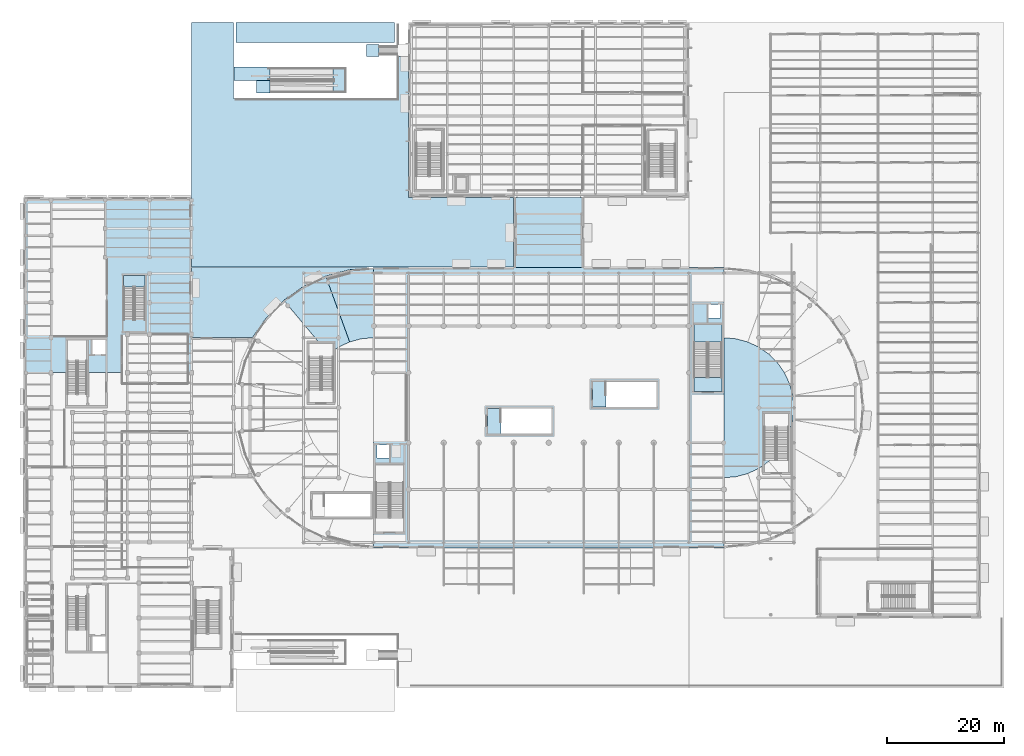
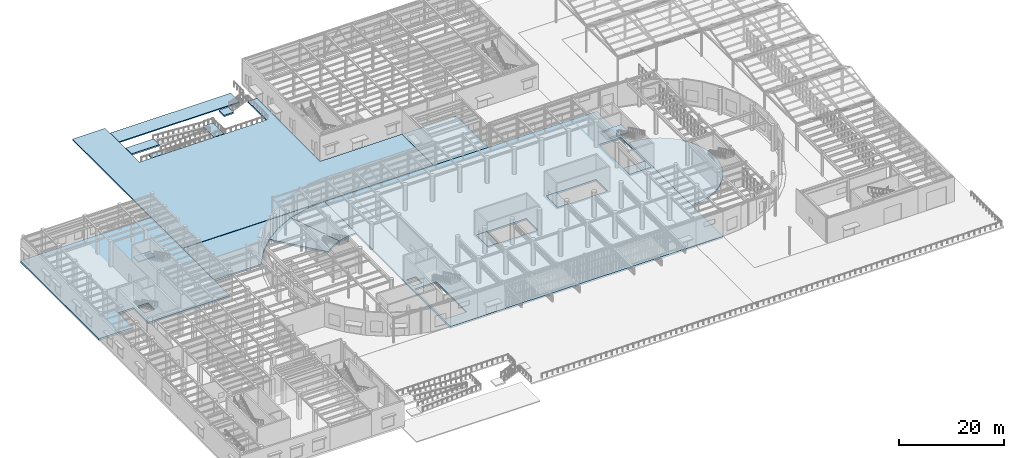
# One storey, part 74 of 118: 18 slabs, 3 elements without a shape of their own.
"""IFC4 building model written with IfcOpenShell, lengths in metres."""

from ifc_helpers import new_model, si_unit, direction, frame, origin, place, context, subcontext, project, spatial, polyline, outline, extrude, material, layer, layer_set, type_object, element, aggregate, save


model = new_model("IFC4")

# Units and contexts
model_context = context("Model", 3, precision=1e-05, world=origin(), true_north=direction((0.0, 1.0)))
body_context = subcontext(model_context, "Body", "Model", "MODEL_VIEW")
ifc_project = project(units=[si_unit("LENGTHUNIT", "METRE"), si_unit("AREAUNIT", "SQUARE_METRE"), si_unit("VOLUMEUNIT", "CUBIC_METRE"), si_unit("PLANEANGLEUNIT", "RADIAN"), si_unit("MASSUNIT", "GRAM", prefix="KILO")], contexts=[model_context])

# Site, building, storey
site_placement = place(None, origin())
site = spatial("IfcSite", under=ifc_project, at=site_placement, CompositionType="ELEMENT")
building_placement = place(site_placement, origin())
building = spatial("IfcBuilding", under=site, at=building_placement, Name="Kolvaren Corner Interchange", CompositionType="ELEMENT")
storey_placement = place(building_placement, origin())
storey = spatial("IfcBuildingStorey", under=building, at=storey_placement, Name="L01", CompositionType="ELEMENT", Elevation=0.0)

# Slabs
ifc_material_1 = material(Name="Granite Paving Concrete C35/45", Category="masonry")
ifc_layer_1 = layer(ifc_material_1, 0.22998046875)
ifc_layer_set_1 = layer_set([ifc_layer_1], Name="Granite Paving Concrete C35/45")
slab_type_1 = type_object("IfcSlabType", Name="SL-PAV-230", PredefinedType="USERDEFINED", material=ifc_layer_set_1)
slab_1_placement = place(storey_placement, frame((0.0, 0.0, -1.72998046875)))
element("IfcSlab", 1, at=slab_1_placement, inside=storey, type_object=slab_type_1, Name="Trelmava Street Sidewalk Paving Slab", ObjectType="PAVING", PredefinedType="USERDEFINED", context=body_context, shape_type="SweptSolid", body=[
    extrude(outline(polyline([(63.60009765625, 114.0), (36.39990234375, 114.0), (36.39990234375, 110.60009765625), (63.60009765625, 110.60009765625), (63.60009765625, 114.0)])), origin(), (0.0, 0.0, 1.0), 0.22998046875),
])
ifc_material_2 = material(Name="Basalt Paving Concrete C35/45", Category="masonry")
ifc_layer_2 = layer(ifc_material_2, 0.2900390625)
ifc_layer_set_2 = layer_set([ifc_layer_2], Name="Basalt Paving Concrete C35/45")
slab_type_2 = type_object("IfcSlabType", Name="SL-PAV-290", PredefinedType="USERDEFINED", material=ifc_layer_set_2)
slab_2_placement = place(storey_placement, frame((0.0, 0.0, -0.39990234375)))
element("IfcSlab", 2, at=slab_2_placement, inside=storey, type_object=slab_type_2, Name="Level 01 Metro Courtyard Waterproof Lid Slab Part 1", ObjectType="PAVING", PredefinedType="USERDEFINED", context=body_context, shape_type="SweptSolid", body=[
    extrude(outline(polyline([(39.227294921875, 60.01708984375), (41.614990234375, 63.427001953125), (44.572509765625, 66.384521484375), (48.0, 68.78466796875), (51.79248046875, 70.552734375), (55.83251953125, 71.635498046875), (59.08740234375, 71.920166015625), (59.12060546875, 71.9443359375), (59.083740234375, 72.0), (28.814697265625, 71.990966796875), (28.80908203125, 60.0146484375), (39.227294921875, 60.01708984375)])), origin(), (0.0, 0.0, 1.0), 0.39990234375),
])
slab_3_placement = place(storey_placement, frame((0.0, 0.0, -0.2900390625)))
element("IfcSlab", 3, at=slab_3_placement, inside=storey, type_object=slab_type_2, Name="Level 01 North Monsoon Retention Court Paving Slab Part 2", ObjectType="PAVING", PredefinedType="USERDEFINED", context=body_context, shape_type="SweptSolid", body=[
    extrude(outline(polyline([(66.0, 84.0), (66.0, 108.14990234375), (64.0, 108.14990234375), (64.0, 101.0), (36.0, 101.0), (36.0, 114.0), (28.800048828125, 114.0), (28.800048828125, 72.10009765625), (84.0, 72.10009765625), (84.0, 84.0), (66.0, 84.0)])), origin(), (0.0, 0.0, 1.0), 0.2900390625),
])
ifc_material_3 = material(Name="Concrete C35/45", Category="concrete")
ifc_layer_3 = layer(ifc_material_3, 0.340087890625)
ifc_layer_set_3 = layer_set([ifc_layer_3], Name="Concrete C35/45")
slab_type_3 = type_object("IfcSlabType", Name="SL-RAMP-LAND", PredefinedType="LANDING", material=ifc_layer_set_3)
slab_4_placement = place(storey_placement, frame((0.0, 0.0, -1.840087890625)))
element("IfcSlab", 4, at=slab_4_placement, inside=storey, type_object=slab_type_3, Name="Northwest Cycle Hub Civic Steps Bottom Structural Landing Slab", PredefinedType="LANDING", context=body_context, shape_type="SweptSolid", body=[
    extrude(outline(polyline([(58.800048828125, 108.199951171875), (60.93994140625, 108.199951171875), (60.93994140625, 110.199951171875), (58.800048828125, 110.199951171875), (58.800048828125, 108.199951171875)])), origin(), (0.0, 0.0, 1.0), 0.340087890625),
])
slab_5_placement = place(storey_placement, frame((0.0, 0.0, -0.340087890625)))
element("IfcSlab", 5, at=slab_5_placement, inside=storey, type_object=slab_type_3, Name="West Cycle Hub Accessible Plinth Ramp Top Plinth Spur Slab", PredefinedType="LANDING", context=body_context, shape_type="SweptSolid", body=[
    extrude(outline(polyline([(36.10009765625, 104.10009765625), (42.25, 104.10009765625), (42.25, 106.35009765625), (36.10009765625, 106.35009765625), (36.10009765625, 104.10009765625)])), origin(), (0.0, 0.0, 1.0), 0.340087890625),
])
slab_6_placement = place(storey_placement, frame((0.0, 0.0, -1.840087890625)))
element("IfcSlab", 6, at=slab_6_placement, inside=storey, type_object=slab_type_3, Name="West Cycle Hub Accessible Plinth Ramp Bottom Approach Slab", PredefinedType="LANDING", context=body_context, shape_type="SweptSolid", body=[
    extrude(outline(polyline([(39.89990234375, 101.89990234375), (42.25, 101.89990234375), (42.25, 104.10009765625), (39.89990234375, 104.10009765625), (39.89990234375, 101.89990234375)])), origin(), (0.0, 0.0, 1.0), 0.340087890625),
])

# Ramp, slab
ifc_material_4 = material(Name="Concrete C35/45", Category="concrete")
ramp_type = type_object("IfcRampType", Name="RMP-PLINTH", PredefinedType="HALF_TURN_RAMP", material=ifc_material_4)
ramp_placement = place(storey_placement, origin())
ramp = element("IfcRamp", 7, at=ramp_placement, inside=storey, type_object=ramp_type, Name="West Cycle Hub Accessible Plinth Ramp", PredefinedType="HALF_TURN_RAMP")
slab_7_placement = place(storey_placement, frame((0.0, 0.0, -1.090087890625)))
slab_7 = element("IfcSlab", 8, at=slab_7_placement, type_object=slab_type_3, Name="West Cycle Hub Accessible Plinth Ramp Intermediate Landing Slab", PredefinedType="LANDING", context=body_context, shape_type="SweptSolid", body=[
    extrude(outline(polyline([(53.0, 102.0), (55.25, 102.0), (55.25, 106.199951171875), (53.0, 106.199951171875), (53.0, 102.0)])), origin(), (0.0, 0.0, 1.0), 0.340087890625),
])
aggregate(ramp, [slab_7])

# Slab
ifc_material_5 = material(Name="Concrete C35/45", Category="concrete")
ifc_layer_4 = layer(ifc_material_5, 0.199951171875)
ifc_layer_set_4 = layer_set([ifc_layer_4], Name="Concrete C35/45")
slab_type_4 = type_object("IfcSlabType", Name="SL-STAIR-LAND200", PredefinedType="LANDING", material=ifc_layer_set_4)
slab_8_placement = place(storey_placement, frame((0.0, 0.0, -0.199951171875)))
element("IfcSlab", 9, at=slab_8_placement, inside=storey, type_object=slab_type_4, Name="Core C4 East Concourse Transfer Stair L01 Floor Arrival Landing Slab", PredefinedType="LANDING", context=body_context, shape_type="SweptSolid", body=[
    extrude(outline(polyline([(119.64990234375, 50.75), (119.64990234375, 53.14990234375), (114.85009765625, 53.14990234375), (114.85009765625, 50.75), (119.64990234375, 50.75)])), origin(), (0.0, 0.0, 1.0), 0.199951171875),
])

# Stair, slab
ifc_material_6 = material(Name="Concrete C35/45", Category="concrete")
stair_type_1 = type_object("IfcStairType", Name="ST-TR-2300", PredefinedType="HALF_TURN_STAIR", material=ifc_material_6)
stair_1_placement = place(storey_placement, origin())
stair_1 = element("IfcStair", 10, at=stair_1_placement, inside=storey, type_object=stair_type_1, Name="Core C4 East Concourse Transfer Stair L01 to L02 Stair", PredefinedType="HALF_TURN_STAIR")
slab_9_placement = place(storey_placement, frame((0.0, 0.0, 2.800048828125)))
slab_9 = element("IfcSlab", 11, at=slab_9_placement, type_object=slab_type_4, Name="Core C4 East Concourse Transfer Stair L01 Intermediate Half Landing Slab", PredefinedType="LANDING", context=body_context, shape_type="SweptSolid", body=[
    extrude(outline(polyline([(119.64990234375, 59.22998046875), (119.64990234375, 62.25), (114.85009765625, 62.25), (114.85009765625, 59.22998046875), (119.64990234375, 59.22998046875)])), origin(), (0.0, 0.0, 1.0), 0.199951171875),
])
aggregate(stair_1, [slab_9])

# Slabs
slab_10_placement = place(storey_placement, frame((0.0, 0.0, -0.199951171875)))
element("IfcSlab", 12, at=slab_10_placement, inside=storey, type_object=slab_type_4, Name="Metro Island Platform West Transfer Stair L01 Floor Arrival Landing Slab", PredefinedType="LANDING", context=body_context, shape_type="SweptSolid", body=[
    extrude(outline(polyline([(79.5, 43.5), (81.800048828125, 43.5), (81.800048828125, 47.89990234375), (79.5, 47.89990234375), (79.5, 43.5)])), origin(), (0.0, 0.0, 1.0), 0.199951171875),
])
slab_11_placement = place(storey_placement, frame((0.0, 0.0, -0.199951171875)))
element("IfcSlab", 13, at=slab_11_placement, inside=storey, type_object=slab_type_4, Name="Metro Island Platform East Transfer Stair L01 Floor Arrival Landing Slab", PredefinedType="LANDING", context=body_context, shape_type="SweptSolid", body=[
    extrude(outline(polyline([(97.5, 48.10009765625), (99.800048828125, 48.10009765625), (99.800048828125, 52.5), (97.5, 52.5), (97.5, 48.10009765625)])), origin(), (0.0, 0.0, 1.0), 0.199951171875),
])

# Stair, slab
ifc_material_7 = material(Name="Concrete C35/45", Category="concrete")
stair_type_2 = type_object("IfcStairType", Name="ST-OP-1750", PredefinedType="HALF_TURN_STAIR", material=ifc_material_7)
stair_2_placement = place(storey_placement, origin())
stair_2 = element("IfcStair", 14, at=stair_2_placement, inside=storey, type_object=stair_type_2, Name="Operations North Wing Protected Exit Stair L01 to L02 Stair", PredefinedType="HALF_TURN_STAIR")
slab_12_placement = place(storey_placement, frame((0.0, 0.0, 2.800048828125)))
slab_12 = element("IfcSlab", 15, at=slab_12_placement, type_object=slab_type_4, Name="Operations North Wing Protected Exit Stair L01 Intermediate Half Landing Slab", PredefinedType="LANDING", context=body_context, shape_type="SweptSolid", body=[
    extrude(outline(polyline([(20.85009765625, 68.699951171875), (20.85009765625, 70.699951171875), (17.14990234375, 70.699951171875), (17.14990234375, 68.699951171875), (20.85009765625, 68.699951171875)])), origin(), (0.0, 0.0, 1.0), 0.199951171875),
])
aggregate(stair_2, [slab_12])

# Slabs
ifc_material_8 = material(Name="Concrete C40/50", Category="concrete")
ifc_layer_5 = layer(ifc_material_8, 0.39990234375)
ifc_layer_set_5 = layer_set([ifc_layer_5], Name="Concrete C40/50")
slab_type_5 = type_object("IfcSlabType", Name="SL-TRANSFER-400", PredefinedType="FLOOR", material=ifc_layer_set_5)
slab_13_placement = place(storey_placement, frame((0.0, 0.0, -0.39990234375)))
element("IfcSlab", 16, at=slab_13_placement, inside=storey, type_object=slab_type_5, Name="Level 01 Operations North West Wing Slab", PredefinedType="FLOOR", context=body_context, shape_type="SweptSolid", body=[
    extrude(outline(polyline([(28.800048828125, 54.0), (28.800048828125, 84.0), (0.0, 84.0), (0.0, 54.0), (7.550048828125, 54.0), (7.550048828125, 59.64990234375), (10.85009765625, 59.64990234375), (10.85009765625, 54.0), (28.800048828125, 54.0)]), holes=[polyline([(11.800048828125, 57.14990234375), (11.800048828125, 59.64990234375), (14.050048828125, 59.64990234375), (14.050048828125, 57.14990234375), (11.800048828125, 57.14990234375)])]), origin(), (0.0, 0.0, 1.0), 0.39990234375),
])
slab_14_placement = place(storey_placement, frame((0.0, 0.0, -0.39990234375)))
element("IfcSlab", 17, at=slab_14_placement, inside=storey, type_object=slab_type_5, Name="Level 01 Concourse Central Spine Slab", PredefinedType="FLOOR", context=body_context, shape_type="SweptSolid", body=[
    extrude(outline(polyline([(120.0, 24.0), (120.0, 72.0), (60.0, 72.0), (60.0, 24.0), (120.0, 24.0)]), holes=[polyline([(65.14990234375, 38.25), (65.14990234375, 26.75), (60.35009765625, 26.75), (60.35009765625, 38.25), (65.14990234375, 38.25)]), polyline([(119.64990234375, 50.75), (114.85009765625, 50.75), (114.85009765625, 62.25), (119.64990234375, 62.25), (119.64990234375, 50.75)]), polyline([(79.5, 43.5), (79.5, 47.89990234375), (90.5, 47.89990234375), (90.5, 43.5), (79.5, 43.5)]), polyline([(97.5, 52.5), (108.5, 52.5), (108.5, 48.10009765625), (97.5, 48.10009765625), (97.5, 52.5)]), polyline([(60.550048828125, 41.64990234375), (62.64990234375, 41.64990234375), (62.64990234375, 39.35009765625), (60.550048828125, 39.35009765625), (60.550048828125, 41.64990234375)]), polyline([(119.449951171875, 65.64990234375), (119.449951171875, 63.35009765625), (117.35009765625, 63.35009765625), (117.35009765625, 65.64990234375), (119.449951171875, 65.64990234375)])]), origin(), (0.0, 0.0, 1.0), 0.39990234375),
])
slab_15_placement = place(storey_placement, frame((0.0, 0.0, -0.39990234375)))
element("IfcSlab", 18, at=slab_15_placement, inside=storey, type_object=slab_type_5, Name="Level 01 Racetrack West Radial Sector Slab 01", PredefinedType="FLOOR", context=body_context, shape_type="SweptSolid", body=[
    extrude(outline(polyline([(60.0, 72.0), (55.83251953125, 71.635498046875), (51.79150390625, 70.552490234375), (55.895751953125, 59.2763671875), (57.916259765625, 59.817626953125), (60.0, 60.0), (60.0, 72.0)])), origin(), (0.0, 0.0, 1.0), 0.39990234375),
])
slab_16_placement = place(storey_placement, frame((0.0, 0.0, -0.39990234375)))
element("IfcSlab", 19, at=slab_16_placement, inside=storey, type_object=slab_type_5, Name="Level 01 Racetrack West Radial Sector Slab 02", PredefinedType="FLOOR", context=body_context, shape_type="SweptSolid", body=[
    extrude(outline(polyline([(51.751953125, 70.5341796875), (48.0, 68.784423828125), (44.60888671875, 66.41015625), (52.262939453125, 57.220703125), (54.0, 58.392333984375), (55.862548828125, 59.2607421875), (55.885498046875, 59.29931640625), (51.806396484375, 70.51171875), (51.751953125, 70.5341796875)])), origin(), (0.0, 0.0, 1.0), 0.39990234375),
])
slab_17_placement = place(storey_placement, frame((0.0, 0.0, -0.39990234375)))
element("IfcSlab", 20, at=slab_17_placement, inside=storey, type_object=slab_type_5, Name="Level 01 Racetrack East Inner Concourse Slab", PredefinedType="FLOOR", context=body_context, shape_type="SweptSolid", body=[
    extrude(outline(polyline([(131.2763671875, 43.895751953125), (131.817626953125, 45.916259765625), (132.0, 48.0), (131.817626953125, 50.083740234375), (131.2763671875, 52.104248046875), (130.392333984375, 54.0), (129.1923828125, 55.71337890625), (127.71337890625, 57.1923828125), (126.0, 58.392333984375), (124.104248046875, 59.2763671875), (122.083740234375, 59.817626953125), (120.0, 60.0), (120.0, 36.0), (122.083740234375, 36.182373046875), (124.104248046875, 36.7236328125), (126.0, 37.607666015625), (127.71337890625, 38.8076171875), (129.1923828125, 40.28662109375), (130.392333984375, 42.0), (131.2763671875, 43.895751953125)])), origin(), (0.0, 0.0, 1.0), 0.39990234375),
])
slab_18_placement = place(storey_placement, frame((0.0, 0.0, -0.39990234375)))
element("IfcSlab", 21, at=slab_18_placement, inside=storey, type_object=slab_type_5, Name="Level 01 Cycle Hub Concourse Link Slab", PredefinedType="FLOOR", context=body_context, shape_type="SweptSolid", body=[
    extrude(outline(polyline([(96.0, 72.0), (96.0, 84.0), (84.0, 84.0), (84.0, 72.0), (96.0, 72.0)])), origin(), (0.0, 0.0, 1.0), 0.39990234375),
])

save(model, "model.ifc")
